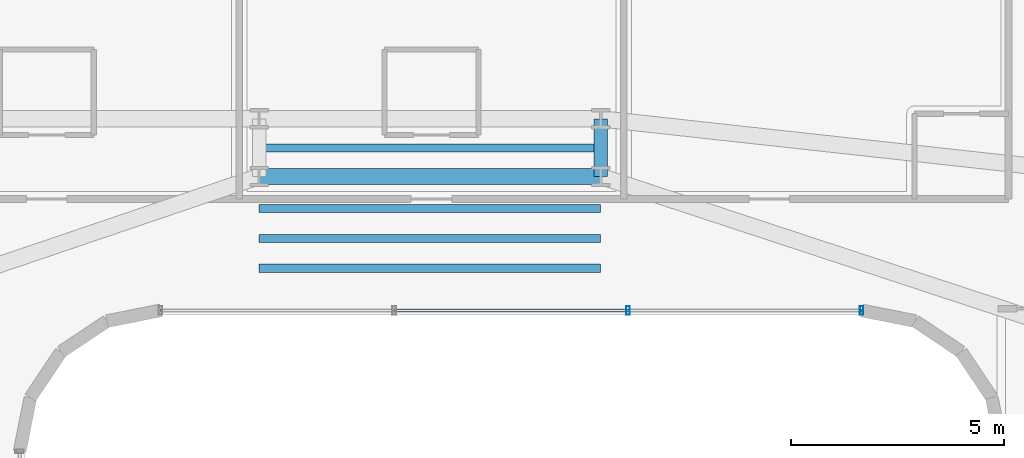
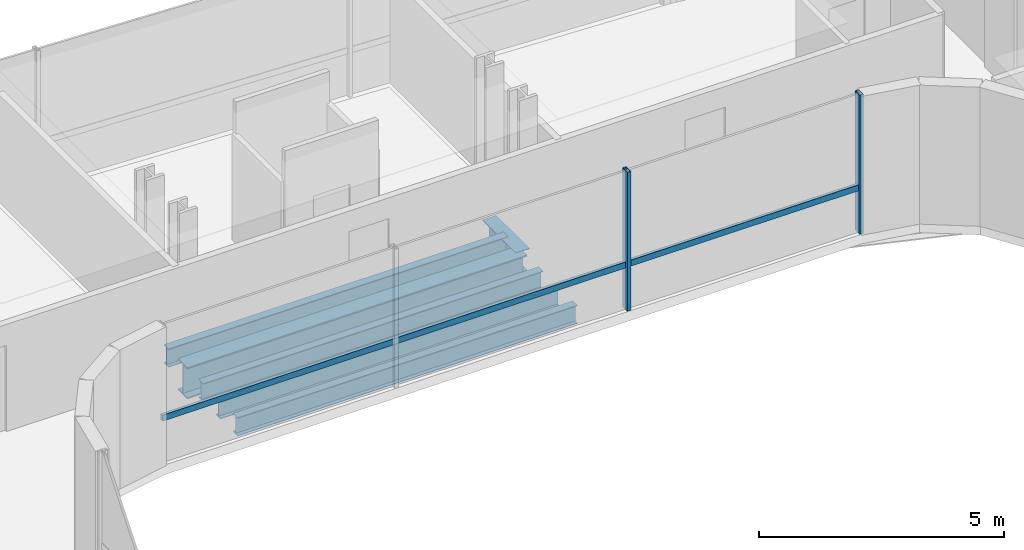
# One storey, part 14 of 35: 6 beams, 3 members, 1 element without a shape of its own.
"""IFC4 building model written with IfcOpenShell, lengths in metres."""

import ifcopenshell
import ifcopenshell.guid

model = None  # the IFC model being written
_history = None  # IfcOwnerHistory: only IFC2X3 demands one
_inside = {}  # id of a spatial element -> (the spatial element, [elements in it])
_under = {}  # id of a project, library or spatial element -> (it, [spatial elements below it])
_declared = {}  # id of a project -> (the project, [libraries it declares])
_typed = {}  # id of a type object -> (the type object, [elements of that type])
_made_of = {}  # id of a material, layer set ... -> (it, [elements and type objects made of it])


def new_model(schema):
    """Start an empty IFC model of exactly this schema.

    Asked for "IFC4X3", IfcOpenShell would pick the latest addendum, in which some entities
    have other attributes; the version numbers below select the first issue.
    IFC2X3 requires an IfcOwnerHistory on every rooted entity: one is made here for all.
    """
    global model, _history
    if schema == "IFC4X3":
        model = ifcopenshell.file(schema_version=(4, 3, 0, 0))
    else:
        model = ifcopenshell.file(schema=schema)
    _inside.clear()
    _under.clear()
    _declared.clear()
    _typed.clear()
    _made_of.clear()
    _history = None
    if model.schema == "IFC2X3":
        org = make("IfcOrganization", Name="unknown")
        user = make(
            "IfcPersonAndOrganization",
            ThePerson=make("IfcPerson", FamilyName="unknown"),
            TheOrganization=org,
        )
        app = make(
            "IfcApplication",
            ApplicationDeveloper=org,
            Version="unknown",
            ApplicationFullName="unknown",
            ApplicationIdentifier="unknown",
        )
        _history = make(
            "IfcOwnerHistory",
            OwningUser=user,
            OwningApplication=app,
            ChangeAction="ADDED",
            CreationDate=0,
        )
    return model


def make(cls, **values):
    """One entity of the class cls with the attributes given. An attribute that is None is left unset."""
    return model.create_entity(
        cls, **{name: value for name, value in values.items() if value is not None}
    )


def rooted(cls, **values):
    """An entity with a GlobalId (a new one), such as an element, a storey or a relation."""
    return make(cls, GlobalId=ifcopenshell.guid.new(), OwnerHistory=_history, **values)


def si_unit(unit_type, name, prefix=None):
    """IfcSIUnit, for example si_unit("LENGTHUNIT", "METRE", prefix="MILLI")."""
    return make("IfcSIUnit", UnitType=unit_type, Prefix=prefix, Name=name)


def assignment(units):
    """IfcUnitAssignment: the units of a project."""
    return None if units is None else make("IfcUnitAssignment", Units=units)


def point(xyz):
    """IfcCartesianPoint."""
    return None if xyz is None else make("IfcCartesianPoint", Coordinates=xyz)


def direction(xyz):
    """IfcDirection."""
    return None if xyz is None else make("IfcDirection", DirectionRatios=xyz)


def frame(location, z_axis=None, x_axis=None):
    """IfcAxis2Placement3D, a coordinate frame: its origin and axes. An axis left out is left unset."""
    return make(
        "IfcAxis2Placement3D",
        Location=point(location),
        Axis=direction(z_axis),
        RefDirection=direction(x_axis),
    )


def frame_2d(location, x_axis=None):
    """IfcAxis2Placement2D, a coordinate frame in the plane: its origin and x axis."""
    return make(
        "IfcAxis2Placement2D", Location=point(location), RefDirection=direction(x_axis)
    )


def origin():
    """The frame at (0, 0, 0) with its axes left unset."""
    return frame((0.0, 0.0, 0.0))


def origin_2d():
    """The frame at (0, 0) in the plane with its x axis left unset."""
    return frame_2d((0.0, 0.0))


def place(relative_to, where):
    """IfcLocalPlacement: puts the frame where relative to a parent placement (None: the world)."""
    return make(
        "IfcLocalPlacement", PlacementRelTo=relative_to, RelativePlacement=where
    )


def context(
    kind, dimensions, precision=None, world=None, true_north=None, identifier=None
):
    """IfcGeometricRepresentationContext, for example the 3D "Model" context."""
    return make(
        "IfcGeometricRepresentationContext",
        ContextIdentifier=identifier,
        ContextType=kind,
        CoordinateSpaceDimension=dimensions,
        Precision=precision,
        WorldCoordinateSystem=world,
        TrueNorth=true_north,
    )


def subcontext(parent, identifier, kind, view, scale=None):
    """IfcGeometricRepresentationSubContext, for example "Body" below "Model"."""
    return make(
        "IfcGeometricRepresentationSubContext",
        ContextIdentifier=identifier,
        ContextType=kind,
        ParentContext=parent,
        TargetScale=scale,
        TargetView=view,
    )


def project(units=None, contexts=None):
    """IfcProject with its units and contexts."""
    return rooted(
        "IfcProject",
        Name="project",
        RepresentationContexts=contexts,
        UnitsInContext=assignment(units),
    )


def spatial(cls, under=None, at=None, **own):
    """A site, building, storey or space (cls), placed at a placement, below another one or the project."""
    s = rooted(cls, ObjectPlacement=at, **own)
    if under is not None:
        _under.setdefault(under.id(), (under, []))[1].append(s)
    return s


def profile(cls, at=None, kind="AREA", **sizes):
    """A parametric profile (cls). Its sizes go by their IFC names, for example OverallWidth=200.0."""
    return make(cls, ProfileType=kind, Position=at, **sizes)


def hollow_rectangle(**sizes):
    """IfcRectangleHollowProfileDef."""
    return profile("IfcRectangleHollowProfileDef", **sizes)


def i_section(**sizes):
    """IfcIShapeProfileDef."""
    return profile("IfcIShapeProfileDef", **sizes)


def extrude(swept, where, along, depth):
    """IfcExtrudedAreaSolid: the profile swept, set in the frame where, extruded along a direction by depth."""
    return make(
        "IfcExtrudedAreaSolid",
        SweptArea=swept,
        Position=where,
        ExtrudedDirection=direction(along),
        Depth=depth,
    )


def shape(context_of_items, identifier, shape_type, items):
    """IfcShapeRepresentation: the items that make up one representation, for example the "Body"."""
    return make(
        "IfcShapeRepresentation",
        ContextOfItems=context_of_items,
        RepresentationIdentifier=identifier,
        RepresentationType=shape_type,
        Items=items,
    )


def source(mapping_origin, context_of_items, identifier, shape_type, items):
    """IfcRepresentationMap: a shape defined once, which mapped items show again and again."""
    return make(
        "IfcRepresentationMap",
        MappingOrigin=mapping_origin,
        MappedRepresentation=shape(context_of_items, identifier, shape_type, items),
    )


def transform(
    local_origin,
    x_axis=None,
    y_axis=None,
    z_axis=None,
    scale=None,
    scale2=None,
    scale3=None,
    uniform=True,
):
    """IfcCartesianTransformationOperator3D, or its non-uniform kind. x_axis, y_axis, z_axis: its Axis1, 2, 3."""
    if uniform:
        return make(
            "IfcCartesianTransformationOperator3D",
            Axis1=direction(x_axis),
            Axis2=direction(y_axis),
            LocalOrigin=point(local_origin),
            Scale=scale,
            Axis3=direction(z_axis),
        )
    return make(
        "IfcCartesianTransformationOperator3DnonUniform",
        Axis1=direction(x_axis),
        Axis2=direction(y_axis),
        LocalOrigin=point(local_origin),
        Scale=scale,
        Axis3=direction(z_axis),
        Scale2=scale2,
        Scale3=scale3,
    )


def mapped(mapping_source, mapping_target):
    """IfcMappedItem: shows the shape of a source again, moved by a transform."""
    return make(
        "IfcMappedItem", MappingSource=mapping_source, MappingTarget=mapping_target
    )


def material(Name=None, Category=None):
    """IfcMaterial."""
    return make("IfcMaterial", Name=Name, Category=Category)


def material_profile(
    of_material, cross_section, Name=None, Category=None, Priority=None
):
    """IfcMaterialProfile: a cross section and its material."""
    return make(
        "IfcMaterialProfile",
        Name=Name,
        Material=of_material,
        Profile=cross_section,
        Priority=Priority,
        Category=Category,
    )


def profile_set(profiles, Name=None, composite=None):
    """IfcMaterialProfileSet."""
    return make(
        "IfcMaterialProfileSet",
        Name=Name,
        MaterialProfiles=profiles,
        CompositeProfile=composite,
    )


def made_of(thing, what):
    """Note that an element or type object is made of a material, layer set ...; save() writes the relation."""
    if what is not None:
        _made_of.setdefault(what.id(), (what, []))[1].append(thing)
    return thing


def type_object(cls, material=None, **own):
    """A type object (cls), such as IfcWallType, which elements share."""
    return made_of(rooted(cls, **own), material)


def element(
    cls,
    number,
    at=None,
    inside=None,
    cuts=None,
    type_object=None,
    material=None,
    context=None,
    identifier="Body",
    shape_type=None,
    held_by="IfcProductDefinitionShape",
    body=None,
    shapes=None,
    **own,
):
    """One element of the class cls, such as IfcWall. Its Tag is "e" and its number.

    at: its placement. inside: the storey or other place that contains it. cuts: it is an
    opening in that element (IfcRelVoidsElement). A single representation is given by context,
    identifier, shape_type and body (its items); several are given by shapes. held_by: the class
    of the entity that holds the representations. save() writes the other relations.
    """
    e = rooted(cls, Tag="e%d" % number, ObjectPlacement=at, **own)
    if body is not None:
        shapes = [shape(context, identifier, shape_type, body)]
    if shapes is not None:
        e.Representation = make(held_by, Representations=shapes)
    if inside is not None:
        _inside.setdefault(inside.id(), (inside, []))[1].append(e)
    if cuts is not None:
        rooted(
            "IfcRelVoidsElement", RelatingBuildingElement=cuts, RelatedOpeningElement=e
        )
    if type_object is not None:
        _typed.setdefault(type_object.id(), (type_object, []))[1].append(e)
    return made_of(e, material)


def aggregate(whole, parts):
    """IfcRelAggregates: a whole, such as a stair, and the parts it consists of."""
    return rooted("IfcRelAggregates", RelatingObject=whole, RelatedObjects=parts)


def save(model, path):
    """Write the relations noted so far, then the file.

    IfcRelAggregates (storeys below a building ...), IfcRelContainedInSpatialStructure (elements
    in a storey), IfcRelDefinesByType, IfcRelAssociatesMaterial and IfcRelDeclares: one each for
    every whole, place, type object, material and project.
    """
    for whole, parts in _under.values():
        aggregate(whole, parts)
    for where, things in _inside.values():
        rooted(
            "IfcRelContainedInSpatialStructure",
            RelatedElements=things,
            RelatingStructure=where,
        )
    for kind, things in _typed.values():
        rooted("IfcRelDefinesByType", RelatedObjects=things, RelatingType=kind)
    for what, things in _made_of.values():
        rooted("IfcRelAssociatesMaterial", RelatedObjects=things, RelatingMaterial=what)
    for by, libraries in _declared.values():
        rooted("IfcRelDeclares", RelatingContext=by, RelatedDefinitions=libraries)
    model.write(path)


model = new_model("IFC4")

# Units and contexts
model_context = context("Model", 3, precision=1e-05, world=origin(), true_north=direction((0.0, 1.0)))
body_context = subcontext(model_context, "Body", "Model", "MODEL_VIEW")
ifc_project = project(units=[si_unit("LENGTHUNIT", "METRE"), si_unit("AREAUNIT", "SQUARE_METRE"), si_unit("VOLUMEUNIT", "CUBIC_METRE"), si_unit("PLANEANGLEUNIT", "RADIAN"), si_unit("MASSUNIT", "GRAM", prefix="KILO")], contexts=[model_context])

# Site, building, storey
site_placement = place(None, origin())
site = spatial("IfcSite", under=ifc_project, at=site_placement, CompositionType="ELEMENT")
building_placement = place(site_placement, origin())
building = spatial("IfcBuilding", under=site, at=building_placement, Name="Valdorenza Pilgrim Sanctuary Tower", CompositionType="ELEMENT")
storey_placement = place(building_placement, frame((0.0, 0.0, 113.10009765625)))
storey = spatial("IfcBuildingStorey", under=building, at=storey_placement, Name="L28", CompositionType="ELEMENT", Elevation=113.10009765625)

# Beams
ifc_material_1 = material(Name="Steel ASTM A992 Grade 50", Category="steel")
ifc_material_profile_1 = material_profile(ifc_material_1, i_section(OverallWidth=0.323974609375, OverallDepth=0.611083984375, WebThickness=0.0126953125, FlangeThickness=0.01904296875, at=origin_2d()), Name="W24X104")
ifc_profile_set_1 = profile_set([ifc_material_profile_1], Name="Steel ASTM A992 Grade 50")
beam_type_1 = type_object("IfcBeamType", Name="STR-BM-GRD-W24B", PredefinedType="BEAM", material=ifc_profile_set_1)
shared_shape_1 = source(origin(), body_context, "Body", "SweptSolid", [
    extrude(i_section(OverallWidth=0.323974609375, OverallDepth=0.611083984375, WebThickness=0.0126953125, FlangeThickness=0.01904296875, at=origin_2d()), origin(), (0.0, 0.0, 1.0), 1.35009765625),
])
beam_1_placement = place(storey_placement, frame((4.0, 13.449951171875, -0.545654296875), z_axis=(0.0, 1.0, 0.0), x_axis=(-1.0, 0.0, 0.0)))
element("IfcBeam", 1, at=beam_1_placement, inside=storey, type_object=beam_type_1, Name="L28 Floor Girder KNK-TIE-E", PredefinedType="BEAM", context=body_context, shape_type="MappedRepresentation", body=[
    mapped(shared_shape_1, transform((0.0, 0.0, 0.0), x_axis=(1.0, 0.0, 0.0), y_axis=(0.0, 1.0, 0.0), z_axis=(0.0, 0.0, 1.0), scale=1.0)),
])
ifc_material_profile_2 = material_profile(ifc_material_1, i_section(OverallWidth=0.382080078125, OverallDepth=0.779052734375, WebThickness=0.01806640625, FlangeThickness=0.030029296875, at=origin_2d()), Name="W30X191")
ifc_profile_set_2 = profile_set([ifc_material_profile_2], Name="Steel ASTM A992 Grade 50")
beam_type_2 = type_object("IfcBeamType", Name="STR-BM-GRD-W30", PredefinedType="BEAM", material=ifc_profile_set_2)
shared_shape_2 = source(origin(), body_context, "Body", "SweptSolid", [
    extrude(i_section(OverallWidth=0.382080078125, OverallDepth=0.779052734375, WebThickness=0.01806640625, FlangeThickness=0.030029296875, at=origin_2d()), origin(), (0.0, 0.0, 1.0), 8.0),
])
beam_2_placement = place(storey_placement, frame((-4.0, 13.449951171875, -0.629638671875), z_axis=(1.0, 0.0, 0.0), x_axis=(0.0, 1.0, 0.0)))
element("IfcBeam", 2, at=beam_2_placement, inside=storey, type_object=beam_type_2, Name="L28 Floor Girder KNK-G2", PredefinedType="BEAM", context=body_context, shape_type="MappedRepresentation", body=[
    mapped(shared_shape_2, transform((0.0, 0.0, 0.0), x_axis=(1.0, 0.0, 0.0), y_axis=(0.0, 1.0, 0.0), z_axis=(0.0, 0.0, 1.0), scale=1.0)),
])
ifc_material_profile_3 = material_profile(ifc_material_1, i_section(OverallWidth=0.19091796875, OverallDepth=0.45703125, WebThickness=0.009033203125, FlangeThickness=0.014404296875, at=origin_2d()), Name="W18X50")
ifc_profile_set_3 = profile_set([ifc_material_profile_3], Name="Steel ASTM A992 Grade 50")
beam_type_3 = type_object("IfcBeamType", Name="STR-BM-JST-W18B", PredefinedType="JOIST", material=ifc_profile_set_3)
shared_shape_3 = source(origin(), body_context, "Body", "SweptSolid", [
    extrude(i_section(OverallWidth=0.19091796875, OverallDepth=0.45703125, WebThickness=0.009033203125, FlangeThickness=0.014404296875, at=origin_2d()), origin(), (0.0, 0.0, 1.0), 8.0),
])
for number, where, z_axis, x_axis, name in (
    (3, (-4.0, 11.300048828125, -0.468505859375), (1.0, 0.0, 0.0), (0.0, 1.0, 0.0), "L28 Knuckle Composite Joist JST-KNK-1"),
    (4, (-4.0, 12.0, -0.468505859375), (1.0, 0.0, 0.0), (0.0, 1.0, 0.0), "L28 Knuckle Composite Joist JST-KNK-2"),
    (5, (-4.0, 12.699951171875, -0.468505859375), (1.0, 0.0, 0.0), (0.0, 1.0, 0.0), "L28 Knuckle Composite Joist JST-KNK-3"),
    (6, (-4.0, 14.1201171875, -0.468505859375), (1.0, 0.0, 0.0), (0.0, 1.0, 0.0), "L28 Knuckle Composite Joist JST-KNK-4"),
):
    element("IfcBeam", number, at=place(storey_placement, frame(where, z_axis=z_axis, x_axis=x_axis)), inside=storey, type_object=beam_type_3, Name=name, PredefinedType="JOIST", context=body_context, shape_type="MappedRepresentation", body=[
        mapped(shared_shape_3, transform((0.0, 0.0, 0.0), x_axis=(1.0, 0.0, 0.0), y_axis=(0.0, 1.0, 0.0), z_axis=(0.0, 0.0, 1.0), scale=1.0)),
    ])

# Curtain wall, members
ifc_material_2 = material(Name="Curtain-wall IGU glazing", Category="glass")
curtain_wall_type = type_object("IfcCurtainWallType", Name="CW-SYS-02", PredefinedType="NOTDEFINED", material=ifc_material_2)
curtain_wall_placement = place(storey_placement, origin())
curtain_wall = element("IfcCurtainWall", 7, at=curtain_wall_placement, inside=storey, type_object=curtain_wall_type, Name="L28 Curtain Wall CW-L28-1-36", PredefinedType="NOTDEFINED")
ifc_material_3 = material(Name="Anodised aluminium AW-6060", Category="aluminium")
ifc_material_profile_4 = material_profile(ifc_material_3, hollow_rectangle(XDim=0.0849609375, YDim=0.199951171875, WallThickness=0.0048828125, at=origin_2d()), Name="ALU-M 200x85x5")
ifc_profile_set_4 = profile_set([ifc_material_profile_4], Name="Anodised aluminium AW-6060")
member_type_1 = type_object("IfcMemberType", Name="CW-MUL-02", PredefinedType="MULLION", material=ifc_profile_set_4)
shared_shape_4 = source(origin(), body_context, "Body", "SweptSolid", [
    extrude(hollow_rectangle(XDim=0.0849609375, YDim=0.199951171875, WallThickness=0.0048828125, at=origin_2d()), origin(), (0.0, 0.0, 1.0), 3.4599609375),
])
member_1_placement = place(storey_placement, frame((10.11083984375, 10.31005859375, 0.0), z_axis=(0.0, 0.0, 1.0), x_axis=(-1.0, 0.0, 0.0)))
member_1 = element("IfcMember", 8, at=member_1_placement, type_object=member_type_1, Name="CW-L28-1-36 Mullion 1", PredefinedType="MULLION", context=body_context, shape_type="MappedRepresentation", body=[
    mapped(shared_shape_4, transform((0.0, 0.0, 0.0), x_axis=(1.0, 0.0, 0.0), y_axis=(0.0, 1.0, 0.0), z_axis=(0.0, 0.0, 1.0), scale=1.0)),
])
member_2_placement = place(storey_placement, frame((4.636962890625, 10.31005859375, 0.0), z_axis=(0.0, 0.0, 1.0), x_axis=(-1.0, 0.0, 0.0)))
member_2 = element("IfcMember", 9, at=member_2_placement, type_object=member_type_1, Name="CW-L28-1-36 Mullion 2", PredefinedType="MULLION", context=body_context, shape_type="MappedRepresentation", body=[
    mapped(shared_shape_4, transform((0.0, 0.0, 0.0), x_axis=(1.0, 0.0, 0.0), y_axis=(0.0, 1.0, 0.0), z_axis=(0.0, 0.0, 1.0), scale=1.0)),
])
ifc_material_profile_5 = material_profile(ifc_material_3, hollow_rectangle(XDim=0.074951171875, YDim=0.14990234375, WallThickness=0.00390625, at=origin_2d()), Name="ALU-T 150x75x4")
ifc_profile_set_5 = profile_set([ifc_material_profile_5], Name="Anodised aluminium AW-6060")
member_type_2 = type_object("IfcMemberType", Name="CW-TRN-02", PredefinedType="USERDEFINED", material=ifc_profile_set_5)
shared_shape_5 = source(origin(), body_context, "Body", "SweptSolid", [
    extrude(hollow_rectangle(XDim=0.074951171875, YDim=0.14990234375, WallThickness=0.00390625, at=origin_2d()), origin(), (0.0, 0.0, 1.0), 16.421630859375),
])
member_3_placement = place(storey_placement, frame((10.11083984375, 10.31005859375, 1.119873046875), z_axis=(-1.0, 0.0, 0.0), x_axis=(0.0, -1.0, 0.0)))
member_3 = element("IfcMember", 10, at=member_3_placement, type_object=member_type_2, Name="CW-L28-1-36 Transom 1", ObjectType="TRANSOM", PredefinedType="USERDEFINED", context=body_context, shape_type="MappedRepresentation", body=[
    mapped(shared_shape_5, transform((0.0, 0.0, 0.0), x_axis=(1.0, 0.0, 0.0), y_axis=(0.0, 1.0, 0.0), z_axis=(0.0, 0.0, 1.0), scale=1.0)),
])
aggregate(curtain_wall, [member_1, member_2, member_3])

save(model, "model.ifc")
